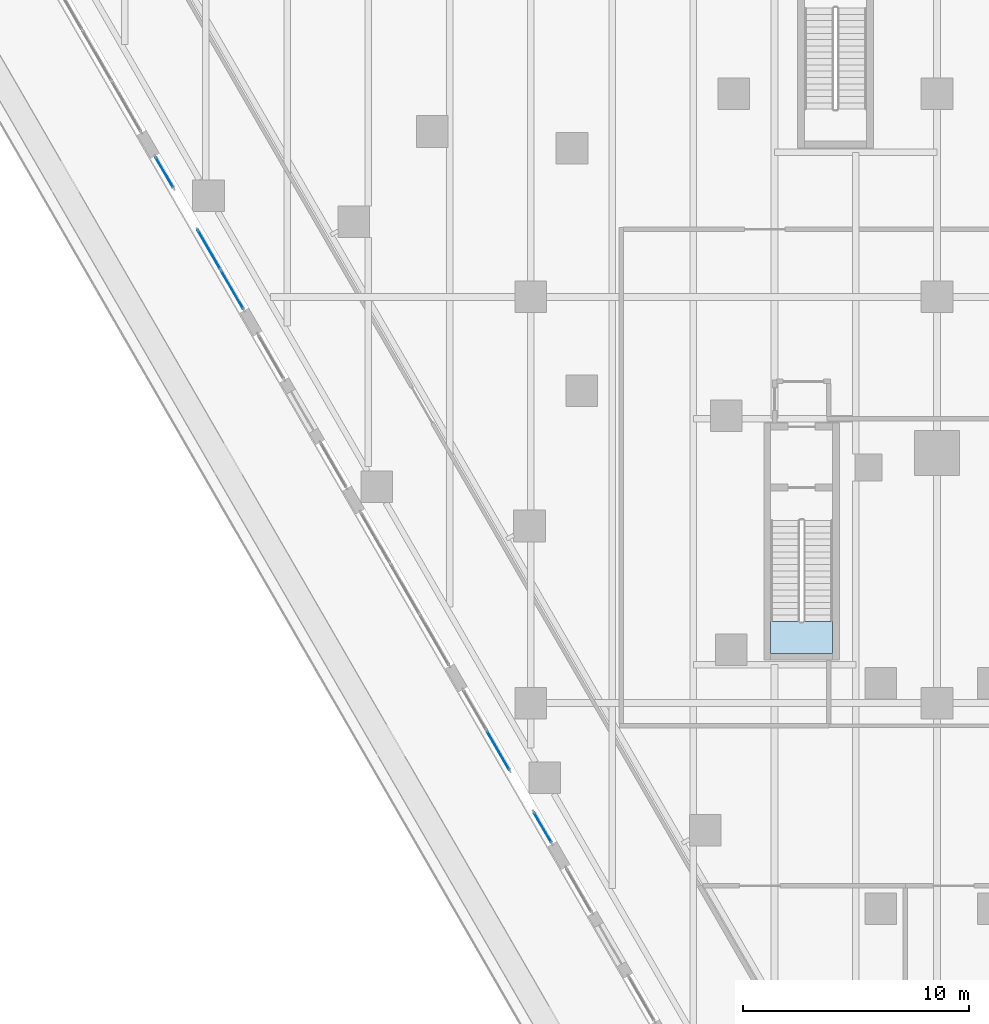
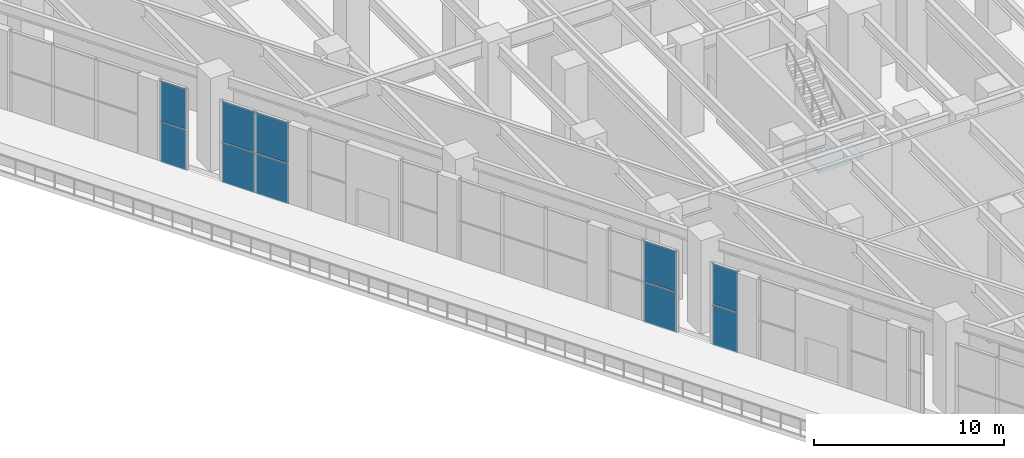
# One storey, part 22 of 40: 10 plates, 1 slab, 5 elements without a shape of their own.
"""IFC4 building model written with IfcOpenShell, lengths in metres."""

from ifc_helpers import new_model, si_unit, direction, frame, origin, origin_2d, place, context, subcontext, project, spatial, polyline, rectangle, outline, extrude, material, layer, layer_set, type_object, element, aggregate, save


model = new_model("IFC4")

# Units and contexts
model_context = context("Model", 3, precision=1e-05, world=origin(), true_north=direction((0.0, 1.0)))
body_context = subcontext(model_context, "Body", "Model", "MODEL_VIEW")
ifc_project = project(units=[si_unit("LENGTHUNIT", "METRE"), si_unit("AREAUNIT", "SQUARE_METRE"), si_unit("VOLUMEUNIT", "CUBIC_METRE"), si_unit("PLANEANGLEUNIT", "RADIAN"), si_unit("MASSUNIT", "GRAM", prefix="KILO")], contexts=[model_context])

# Site, building, storey
site_placement = place(None, origin())
site = spatial("IfcSite", under=ifc_project, at=site_placement, CompositionType="ELEMENT")
building_placement = place(site_placement, origin())
building = spatial("IfcBuilding", under=site, at=building_placement, Name="Aloe Facet Convention Tower", CompositionType="ELEMENT")
storey_placement = place(building_placement, frame((0.0, 0.0, 13.5)))
storey = spatial("IfcBuildingStorey", under=building, at=storey_placement, Name="L02", CompositionType="ELEMENT", Elevation=13.5)

# Stair, slab
ifc_material_1 = material(Name="Concrete C50/60", Category="concrete")
stair_type = type_object("IfcStairType", Name="CR-ST-34R-W1300", PredefinedType="HALF_TURN_STAIR", material=ifc_material_1)
stair_placement = place(storey_placement, origin())
stair = element("IfcStair", 1, at=stair_placement, inside=storey, type_object=stair_type, Name="L02 Protected exit stair ST4", PredefinedType="HALF_TURN_STAIR")
ifc_material_2 = material(Name="Concrete C50/60", Category="concrete")
ifc_layer_1 = layer(ifc_material_2, 0.199951171875)
ifc_layer_set_1 = layer_set([ifc_layer_1], Name="CR-SL-LANDING")
slab_type = type_object("IfcSlabType", Name="CR-SL-LANDING", PredefinedType="LANDING", material=ifc_layer_set_1)
slab_placement = place(storey_placement, frame((0.0, 0.0, 2.800048828125)))
slab = element("IfcSlab", 2, at=slab_placement, type_object=slab_type, Name="ST4 landing 1", PredefinedType="LANDING", context=body_context, shape_type="SweptSolid", body=[
    extrude(outline(polyline([(72.625, 84.6201171875), (72.625, 83.199951171875), (75.375, 83.199951171875), (75.375, 84.6201171875), (72.625, 84.6201171875)])), origin(), (0.0, 0.0, 1.0), 0.199951171875),
])
aggregate(stair, [slab])

# Curtain wall, plates
ifc_material_3 = material(Name="Aluminium, anodised", Category="aluminium")
curtain_wall_type = type_object("IfcCurtainWallType", Name="EV-CW-HALL", PredefinedType="USERDEFINED", material=ifc_material_3)
curtain_wall_1_placement = place(storey_placement, origin())
curtain_wall_1 = element("IfcCurtainWall", 3, at=curtain_wall_1_placement, inside=storey, type_object=curtain_wall_type, Name="CW-L02-W08-1", ObjectType="UNITISED HALL GLAZING", PredefinedType="USERDEFINED")
ifc_material_4 = material(Name="Clear double glazing", Category="glass")
ifc_layer_2 = layer(ifc_material_4, 0.035888671875)
ifc_layer_set_2 = layer_set([ifc_layer_2], Name="EV-PANEL-HALL")
plate_type = type_object("IfcPlateType", Name="EV-PANEL-HALL", PredefinedType="CURTAIN_PANEL", material=ifc_layer_set_2)
plate_1_placement = place(storey_placement, frame((45.7685546875, 104.51123046875, -0.23486328125), z_axis=(0.0, 0.0, 1.0), x_axis=(0.499999999819, -0.866025403889, 0.0)))
plate_1 = element("IfcPlate", 4, at=plate_1_placement, type_object=plate_type, Name="CW-L02-W08-1 panel 1.1", PredefinedType="CURTAIN_PANEL", context=body_context, shape_type="SweptSolid", body=[
    extrude(rectangle(XDim=1.5478515625, YDim=0.035888671875, at=origin_2d()), origin(), (0.0, 0.0, 1.0), 2.583740234375),
])
plate_2_placement = place(storey_placement, frame((45.7685546875, 104.51123046875, 2.41357421875), z_axis=(0.0, 0.0, 1.0), x_axis=(0.499999999819, -0.866025403889, 0.0)))
plate_2 = element("IfcPlate", 5, at=plate_2_placement, type_object=plate_type, Name="CW-L02-W08-1 panel 1.2", PredefinedType="CURTAIN_PANEL", context=body_context, shape_type="SweptSolid", body=[
    extrude(rectangle(XDim=1.5478515625, YDim=0.035888671875, at=origin_2d()), origin(), (0.0, 0.0, 1.0), 2.583740234375),
])
aggregate(curtain_wall_1, [plate_1, plate_2])

curtain_wall_2_placement = place(storey_placement, origin())
curtain_wall_2 = element("IfcCurtainWall", 6, at=curtain_wall_2_placement, inside=storey, type_object=curtain_wall_type, Name="CW-L02-W08-2", ObjectType="UNITISED HALL GLAZING", PredefinedType="USERDEFINED")
plate_3_placement = place(storey_placement, frame((47.7421875, 101.0927734375, -0.23486328125), z_axis=(0.0, 0.0, 1.0), x_axis=(0.499999999864, -0.866025403863, 0.0)))
plate_3 = element("IfcPlate", 7, at=plate_3_placement, type_object=plate_type, Name="CW-L02-W08-2 panel 1.1", PredefinedType="CURTAIN_PANEL", context=body_context, shape_type="SweptSolid", body=[
    extrude(rectangle(XDim=1.988525390625, YDim=0.035888671875, at=origin_2d()), origin(), (0.0, 0.0, 1.0), 2.583740234375),
])
plate_4_placement = place(storey_placement, frame((47.7421875, 101.0927734375, 2.41357421875), z_axis=(0.0, 0.0, 1.0), x_axis=(0.499999999864, -0.866025403863, 0.0)))
plate_4 = element("IfcPlate", 8, at=plate_4_placement, type_object=plate_type, Name="CW-L02-W08-2 panel 1.2", PredefinedType="CURTAIN_PANEL", context=body_context, shape_type="SweptSolid", body=[
    extrude(rectangle(XDim=1.988525390625, YDim=0.035888671875, at=origin_2d()), origin(), (0.0, 0.0, 1.0), 2.583740234375),
])
plate_5_placement = place(storey_placement, frame((48.768798828125, 99.314453125, -0.23486328125), z_axis=(0.0, 0.0, 1.0), x_axis=(0.499999999864, -0.866025403863, 0.0)))
plate_5 = element("IfcPlate", 9, at=plate_5_placement, type_object=plate_type, Name="CW-L02-W08-2 panel 2.1", PredefinedType="CURTAIN_PANEL", context=body_context, shape_type="SweptSolid", body=[
    extrude(rectangle(XDim=1.988525390625, YDim=0.035888671875, at=origin_2d()), origin(), (0.0, 0.0, 1.0), 2.583740234375),
])
plate_6_placement = place(storey_placement, frame((48.768798828125, 99.314453125, 2.41357421875), z_axis=(0.0, 0.0, 1.0), x_axis=(0.499999999864, -0.866025403863, 0.0)))
plate_6 = element("IfcPlate", 10, at=plate_6_placement, type_object=plate_type, Name="CW-L02-W08-2 panel 2.2", PredefinedType="CURTAIN_PANEL", context=body_context, shape_type="SweptSolid", body=[
    extrude(rectangle(XDim=1.988525390625, YDim=0.035888671875, at=origin_2d()), origin(), (0.0, 0.0, 1.0), 2.583740234375),
])
aggregate(curtain_wall_2, [plate_3, plate_4, plate_5, plate_6])

curtain_wall_3_placement = place(storey_placement, origin())
curtain_wall_3 = element("IfcCurtainWall", 11, at=curtain_wall_3_placement, inside=storey, type_object=curtain_wall_type, Name="CW-L02-W14-1", ObjectType="UNITISED HALL GLAZING", PredefinedType="USERDEFINED")
plate_7_placement = place(storey_placement, frame((60.553466796875, 78.90283203125, -0.23486328125), z_axis=(0.0, 0.0, 1.0), x_axis=(0.49999999994, -0.866025403819, 0.0)))
plate_7 = element("IfcPlate", 12, at=plate_7_placement, type_object=plate_type, Name="CW-L02-W14-1 panel 2.1", PredefinedType="CURTAIN_PANEL", context=body_context, shape_type="SweptSolid", body=[
    extrude(rectangle(XDim=1.98828125, YDim=0.035888671875, at=origin_2d()), origin(), (0.0, 0.0, 1.0), 2.583740234375),
])
plate_8_placement = place(storey_placement, frame((60.553466796875, 78.90283203125, 2.41357421875), z_axis=(0.0, 0.0, 1.0), x_axis=(0.49999999994, -0.866025403819, 0.0)))
plate_8 = element("IfcPlate", 13, at=plate_8_placement, type_object=plate_type, Name="CW-L02-W14-1 panel 2.2", PredefinedType="CURTAIN_PANEL", context=body_context, shape_type="SweptSolid", body=[
    extrude(rectangle(XDim=1.98828125, YDim=0.035888671875, at=origin_2d()), origin(), (0.0, 0.0, 1.0), 2.583740234375),
])
aggregate(curtain_wall_3, [plate_7, plate_8])

curtain_wall_4_placement = place(storey_placement, origin())
curtain_wall_4 = element("IfcCurtainWall", 14, at=curtain_wall_4_placement, inside=storey, type_object=curtain_wall_type, Name="CW-L02-W14-2", ObjectType="UNITISED HALL GLAZING", PredefinedType="USERDEFINED")
plate_9_placement = place(storey_placement, frame((62.527099609375, 75.484375, -0.23486328125), z_axis=(0.0, 0.0, 1.0), x_axis=(0.500000000091, -0.866025403732, 0.0)))
plate_9 = element("IfcPlate", 15, at=plate_9_placement, type_object=plate_type, Name="CW-L02-W14-2 panel 1.1", PredefinedType="CURTAIN_PANEL", context=body_context, shape_type="SweptSolid", body=[
    extrude(rectangle(XDim=1.548095703125, YDim=0.035888671875, at=origin_2d()), origin(), (0.0, 0.0, 1.0), 2.583740234375),
])
plate_10_placement = place(storey_placement, frame((62.527099609375, 75.484375, 2.41357421875), z_axis=(0.0, 0.0, 1.0), x_axis=(0.500000000091, -0.866025403732, 0.0)))
plate_10 = element("IfcPlate", 16, at=plate_10_placement, type_object=plate_type, Name="CW-L02-W14-2 panel 1.2", PredefinedType="CURTAIN_PANEL", context=body_context, shape_type="SweptSolid", body=[
    extrude(rectangle(XDim=1.548095703125, YDim=0.035888671875, at=origin_2d()), origin(), (0.0, 0.0, 1.0), 2.583740234375),
])
aggregate(curtain_wall_4, [plate_9, plate_10])

save(model, "model.ifc")
